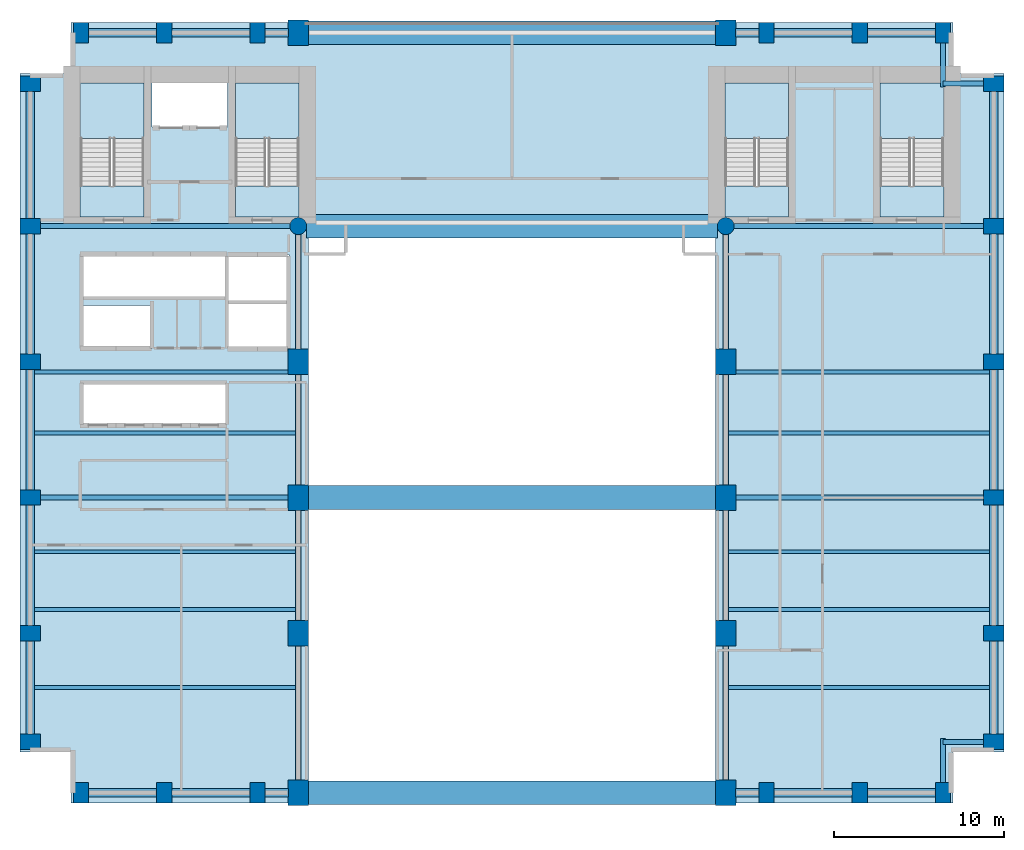
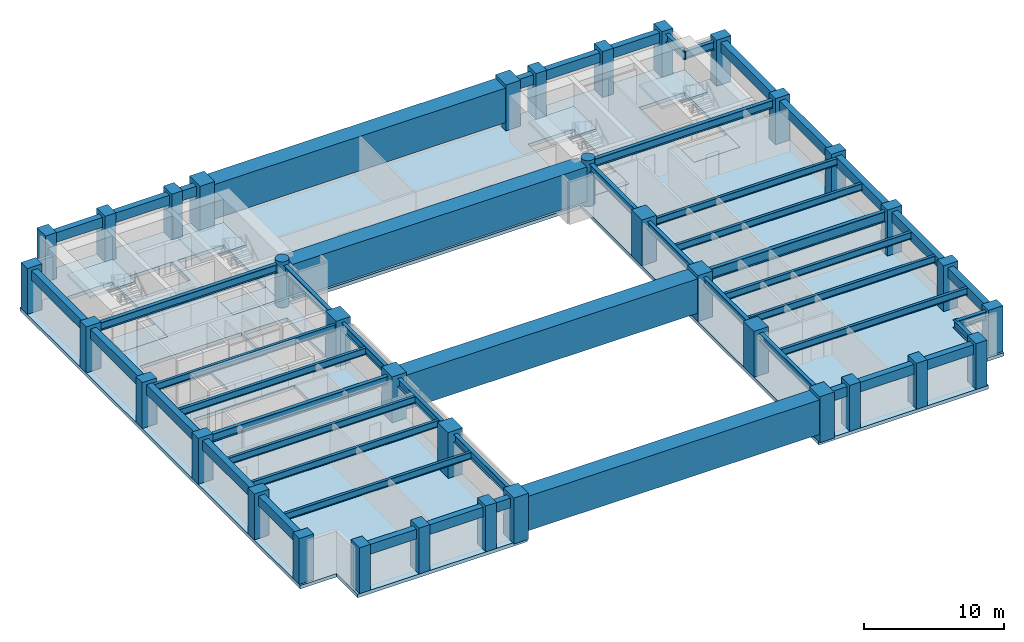
# One storey, part 1 of 8: 48 beams, 36 columns, 9 slabs, 4 elements without a shape of their own.
"""IFC4 building model written with IfcOpenShell, lengths in metres."""

from ifc_helpers import new_model, si_unit, direction, frame, origin, origin_2d, place, context, subcontext, project, spatial, polyline, rectangle, circle, i_section, outline, extrude, material, layer, layer_set, material_profile, profile_set, type_object, element, aggregate, save


model = new_model("IFC4")

# Units and contexts
model_context = context("Model", 3, precision=1e-05, world=origin(), true_north=direction((0.0, 1.0)))
body_context = subcontext(model_context, "Body", "Model", "MODEL_VIEW")
ifc_project = project(units=[si_unit("LENGTHUNIT", "METRE"), si_unit("AREAUNIT", "SQUARE_METRE"), si_unit("VOLUMEUNIT", "CUBIC_METRE"), si_unit("PLANEANGLEUNIT", "RADIAN"), si_unit("MASSUNIT", "GRAM", prefix="KILO")], contexts=[model_context])

# Site, building, storey
site_placement = place(None, origin())
site = spatial("IfcSite", under=ifc_project, at=site_placement, CompositionType="ELEMENT")
building_placement = place(site_placement, origin())
building = spatial("IfcBuilding", under=site, at=building_placement, Name="Sulina Concourse Tower", CompositionType="ELEMENT")
storey_placement = place(building_placement, frame((0.0, 0.0, 42.60009765625)))
storey = spatial("IfcBuildingStorey", under=building, at=storey_placement, Name="L10", CompositionType="ELEMENT", Elevation=42.60009765625)

# Columns
ifc_material_1 = material(Name="Concrete C60/75", Category="concrete")
ifc_material_profile_1 = material_profile(ifc_material_1, circle(Radius=0.5, at=origin_2d()), Name="RC D1000")
ifc_profile_set_1 = profile_set([ifc_material_profile_1], Name="Concrete C60/75")
column_type_1 = type_object("IfcColumnType", Name="Lower Interior Circular Column D1000", PredefinedType="COLUMN", material=ifc_profile_set_1)
for number, where, z_axis, x_axis, name in (
    (1, (16.39990234375, 34.0, 0.0), (0.0, 0.0, 1.0), (1.0, 0.0, 0.0), "L10 structural column IC-N-164"),
    (2, (41.60009765625, 34.0, 0.0), (0.0, 0.0, 1.0), (1.0, 0.0, 0.0), "L10 structural column IC-N-416"),
):
    element("IfcColumn", number, at=place(storey_placement, frame(where, z_axis=z_axis, x_axis=x_axis)), inside=storey, type_object=column_type_1, Name=name, PredefinedType="COLUMN", context=body_context, shape_type="SweptSolid", body=[
        extrude(circle(Radius=0.5, at=origin_2d()), origin(), (0.0, 0.0, 1.0), 4.0),
    ])
ifc_material_2 = material(Name="Concrete C80/95", Category="concrete")
ifc_material_profile_2 = material_profile(ifc_material_2, rectangle(XDim=1.199951171875, YDim=1.5, at=origin_2d()), Name="RC 1200x1500")
ifc_profile_set_2 = profile_set([ifc_material_profile_2], Name="Concrete C80/95")
column_type_2 = type_object("IfcColumnType", Name="Lower Portal End-Leg Column 1200x1500", PredefinedType="COLUMN", material=ifc_profile_set_2)
for number, where, z_axis, x_axis, name in (
    (3, (16.39990234375, 0.60009765625, 0.0), (0.0, 0.0, 1.0), (1.0, 0.0, 0.0), "L10 structural column TP-S-164"),
    (4, (16.39990234375, 45.39990234375, 0.0), (0.0, 0.0, 1.0), (1.0, 0.0, 0.0), "L10 structural column TP-N-164"),
    (5, (41.60009765625, 0.60009765625, 0.0), (0.0, 0.0, 1.0), (1.0, 0.0, 0.0), "L10 structural column TP-S-416"),
    (6, (41.60009765625, 45.39990234375, 0.0), (0.0, 0.0, 1.0), (1.0, 0.0, 0.0), "L10 structural column TP-N-416"),
    (7, (16.39990234375, 10.0, 0.0), (0.0, 0.0, 1.0), (1.0, 0.0, 0.0), "L10 structural column LP-FW-10"),
    (8, (41.60009765625, 10.0, 0.0), (0.0, 0.0, 1.0), (1.0, 0.0, 0.0), "L10 structural column LP-FE-10"),
    (9, (16.39990234375, 18.0, 0.0), (0.0, 0.0, 1.0), (1.0, 0.0, 0.0), "L10 structural column LP-FW-18"),
    (10, (41.60009765625, 18.0, 0.0), (0.0, 0.0, 1.0), (1.0, 0.0, 0.0), "L10 structural column LP-FE-18"),
    (11, (16.39990234375, 26.0, 0.0), (0.0, 0.0, 1.0), (1.0, 0.0, 0.0), "L10 structural column LP-FW-26"),
    (12, (41.60009765625, 26.0, 0.0), (0.0, 0.0, 1.0), (1.0, 0.0, 0.0), "L10 structural column LP-FE-26"),
):
    element("IfcColumn", number, at=place(storey_placement, frame(where, z_axis=z_axis, x_axis=x_axis)), inside=storey, type_object=column_type_2, Name=name, PredefinedType="COLUMN", context=body_context, shape_type="SweptSolid", body=[
        extrude(rectangle(XDim=1.199951171875, YDim=1.5, at=origin_2d()), origin(), (0.0, 0.0, 1.0), 4.0),
    ])
ifc_material_3 = material(Name="Precast concrete C60/75", Category="concrete")
ifc_material_profile_3 = material_profile(ifc_material_3, rectangle(XDim=0.89990234375, YDim=1.199951171875, at=origin_2d()), Name="PC 900x1200")
ifc_profile_set_3 = profile_set([ifc_material_profile_3], Name="Precast concrete C60/75")
column_type_3 = type_object("IfcColumnType", Name="Precast Tube Pier Zone 1 900x1200", PredefinedType="COLUMN", material=ifc_profile_set_3)
for number, where, z_axis, x_axis, name in (
    (13, (3.60009765625, 0.60009765625, 0.0), (0.0, 0.0, 1.0), (1.0, 0.0, 0.0), "L10 structural column TP-S-36"),
    (14, (3.60009765625, 45.39990234375, 0.0), (0.0, 0.0, 1.0), (1.0, 0.0, 0.0), "L10 structural column TP-N-36"),
    (15, (8.5, 0.60009765625, 0.0), (0.0, 0.0, 1.0), (1.0, 0.0, 0.0), "L10 structural column TP-S-85"),
    (16, (8.5, 45.39990234375, 0.0), (0.0, 0.0, 1.0), (1.0, 0.0, 0.0), "L10 structural column TP-N-85"),
    (17, (14.0, 0.60009765625, 0.0), (0.0, 0.0, 1.0), (1.0, 0.0, 0.0), "L10 structural column TP-S-140"),
    (18, (14.0, 45.39990234375, 0.0), (0.0, 0.0, 1.0), (1.0, 0.0, 0.0), "L10 structural column TP-N-140"),
    (19, (44.0, 0.60009765625, 0.0), (0.0, 0.0, 1.0), (1.0, 0.0, 0.0), "L10 structural column TP-S-440"),
    (20, (44.0, 45.39990234375, 0.0), (0.0, 0.0, 1.0), (1.0, 0.0, 0.0), "L10 structural column TP-N-440"),
    (21, (49.5, 0.60009765625, 0.0), (0.0, 0.0, 1.0), (1.0, 0.0, 0.0), "L10 structural column TP-S-495"),
    (22, (49.5, 45.39990234375, 0.0), (0.0, 0.0, 1.0), (1.0, 0.0, 0.0), "L10 structural column TP-N-495"),
    (23, (54.39990234375, 0.60009765625, 0.0), (0.0, 0.0, 1.0), (1.0, 0.0, 0.0), "L10 structural column TP-S-544"),
    (24, (54.39990234375, 45.39990234375, 0.0), (0.0, 0.0, 1.0), (1.0, 0.0, 0.0), "L10 structural column TP-N-544"),
    (25, (0.60009765625, 3.60009765625, 0.0), (0.0, 0.0, 1.0), (0.0, 1.0, 0.0), "L10 structural column TP-W-36"),
    (26, (57.39990234375, 3.60009765625, 0.0), (0.0, 0.0, 1.0), (0.0, 1.0, 0.0), "L10 structural column TP-E-36"),
    (27, (0.60009765625, 10.0, 0.0), (0.0, 0.0, 1.0), (0.0, 1.0, 0.0), "L10 structural column TP-W-100"),
    (28, (57.39990234375, 10.0, 0.0), (0.0, 0.0, 1.0), (0.0, 1.0, 0.0), "L10 structural column TP-E-100"),
    (29, (0.60009765625, 18.0, 0.0), (0.0, 0.0, 1.0), (0.0, 1.0, 0.0), "L10 structural column TP-W-180"),
    (30, (57.39990234375, 18.0, 0.0), (0.0, 0.0, 1.0), (0.0, 1.0, 0.0), "L10 structural column TP-E-180"),
    (31, (0.60009765625, 26.0, 0.0), (0.0, 0.0, 1.0), (0.0, 1.0, 0.0), "L10 structural column TP-W-260"),
    (32, (57.39990234375, 26.0, 0.0), (0.0, 0.0, 1.0), (0.0, 1.0, 0.0), "L10 structural column TP-E-260"),
    (33, (0.60009765625, 34.0, 0.0), (0.0, 0.0, 1.0), (0.0, 1.0, 0.0), "L10 structural column TP-W-340"),
    (34, (57.39990234375, 34.0, 0.0), (0.0, 0.0, 1.0), (0.0, 1.0, 0.0), "L10 structural column TP-E-340"),
    (35, (0.60009765625, 42.39990234375, 0.0), (0.0, 0.0, 1.0), (0.0, 1.0, 0.0), "L10 structural column TP-W-424"),
    (36, (57.39990234375, 42.39990234375, 0.0), (0.0, 0.0, 1.0), (0.0, 1.0, 0.0), "L10 structural column TP-E-424"),
):
    element("IfcColumn", number, at=place(storey_placement, frame(where, z_axis=z_axis, x_axis=x_axis)), inside=storey, type_object=column_type_3, Name=name, PredefinedType="COLUMN", context=body_context, shape_type="SweptSolid", body=[
        extrude(rectangle(XDim=0.89990234375, YDim=1.199951171875, at=origin_2d()), origin(), (0.0, 0.0, 1.0), 4.0),
    ])

# Beams
ifc_material_4 = material(Name="Steel S355", Category="steel")
ifc_material_profile_4 = material_profile(ifc_material_4, i_section(OverallWidth=0.219970703125, OverallDepth=0.60009765625, WebThickness=0.011962890625, FlangeThickness=0.01904296875, at=origin_2d()), Name="IPE 600")
ifc_profile_set_4 = profile_set([ifc_material_profile_4], Name="Steel S355")
beam_type_1 = type_object("IfcBeamType", Name="Composite Floor Joist IPE600", PredefinedType="JOIST", material=ifc_profile_set_4)
for number, where, z_axis, x_axis, name in (
    (37, (0.85009765625, 6.800048828125, 3.39990234375), (1.0, 0.0, 0.0), (0.0, 1.0, 0.0), "FJ-J06-1-L10"),
    (38, (41.75, 6.800048828125, 3.39990234375), (1.0, 0.0, 0.0), (0.0, 1.0, 0.0), "FJ-J06-3-L10"),
    (39, (0.85009765625, 11.39990234375, 3.39990234375), (1.0, 0.0, 0.0), (0.0, 1.0, 0.0), "FJ-J11-1-L10"),
    (40, (41.75, 11.39990234375, 3.39990234375), (1.0, 0.0, 0.0), (0.0, 1.0, 0.0), "FJ-J11-3-L10"),
    (41, (0.85009765625, 14.800048828125, 3.39990234375), (1.0, 0.0, 0.0), (0.0, 1.0, 0.0), "FJ-J15-1-L10"),
    (42, (41.75, 14.800048828125, 3.39990234375), (1.0, 0.0, 0.0), (0.0, 1.0, 0.0), "FJ-J15-3-L10"),
    (43, (0.85009765625, 21.800048828125, 3.39990234375), (1.0, 0.0, 0.0), (0.0, 1.0, 0.0), "FJ-J22-1-L10"),
    (44, (41.75, 21.800048828125, 3.39990234375), (1.0, 0.0, 0.0), (0.0, 1.0, 0.0), "FJ-J22-3-L10"),
    (45, (0.85009765625, 25.39990234375, 3.39990234375), (1.0, 0.0, 0.0), (0.0, 1.0, 0.0), "FJ-J25-1-L10"),
    (46, (41.75, 25.39990234375, 3.39990234375), (1.0, 0.0, 0.0), (0.0, 1.0, 0.0), "FJ-J25-3-L10"),
):
    element("IfcBeam", number, at=place(storey_placement, frame(where, z_axis=z_axis, x_axis=x_axis)), inside=storey, type_object=beam_type_1, Name=name, PredefinedType="JOIST", context=body_context, shape_type="SweptSolid", body=[
        extrude(i_section(OverallWidth=0.219970703125, OverallDepth=0.60009765625, WebThickness=0.011962890625, FlangeThickness=0.01904296875, at=origin_2d()), origin(), (0.0, 0.0, 1.0), 15.39990234375),
    ])
ifc_material_5 = material(Name="Steel S355", Category="steel")
ifc_material_profile_5 = material_profile(ifc_material_5, i_section(OverallWidth=0.300048828125, OverallDepth=0.699951171875, WebThickness=0.01708984375, FlangeThickness=0.031982421875, at=origin_2d()), Name="HE 700 B")
ifc_profile_set_5 = profile_set([ifc_material_profile_5], Name="Steel S355")
beam_type_2 = type_object("IfcBeamType", Name="Floor Primary Girder Zone 1 HE700B", PredefinedType="BEAM", material=ifc_profile_set_5)
for number, where, z_axis, x_axis, name in (
    (47, (54.39990234375, 3.60009765625, 3.349853515625), (1.0, 0.0, 0.0), (0.0, 1.0, 0.0), "TIE-SE-L10"),
    (48, (54.39990234375, 42.39990234375, 3.349853515625), (1.0, 0.0, 0.0), (0.0, 1.0, 0.0), "TIE-NE-L10"),
):
    element("IfcBeam", number, at=place(storey_placement, frame(where, z_axis=z_axis, x_axis=x_axis)), inside=storey, type_object=beam_type_2, Name=name, PredefinedType="BEAM", context=body_context, shape_type="SweptSolid", body=[
        extrude(i_section(OverallWidth=0.300048828125, OverallDepth=0.699951171875, WebThickness=0.01708984375, FlangeThickness=0.031982421875, at=origin_2d()), origin(), (0.0, 0.0, 1.0), 2.570068359375),
    ])
for number, where, z_axis, x_axis, name in (
    (49, (54.39990234375, 1.030029296875, 3.349853515625), (0.0, 1.0, 0.0), (-1.0, 0.0, 0.0), "TIE-SES-L10"),
    (50, (54.39990234375, 42.199951171875, 3.349853515625), (0.0, 1.0, 0.0), (-1.0, 0.0, 0.0), "TIE-NEN-L10"),
):
    element("IfcBeam", number, at=place(storey_placement, frame(where, z_axis=z_axis, x_axis=x_axis)), inside=storey, type_object=beam_type_2, Name=name, PredefinedType="BEAM", context=body_context, shape_type="SweptSolid", body=[
        extrude(i_section(OverallWidth=0.300048828125, OverallDepth=0.699951171875, WebThickness=0.01708984375, FlangeThickness=0.031982421875, at=origin_2d()), origin(), (0.0, 0.0, 1.0), 2.77001953125),
    ])
beam_1_placement = place(storey_placement, frame((1.030029296875, 18.0, 3.349853515625), z_axis=(1.0, 0.0, 0.0), x_axis=(0.0, 1.0, 0.0)))
element("IfcBeam", 51, at=beam_1_placement, inside=storey, type_object=beam_type_2, Name="FG-EW1-L10", PredefinedType="BEAM", context=body_context, shape_type="SweptSolid", body=[
    extrude(i_section(OverallWidth=0.300048828125, OverallDepth=0.699951171875, WebThickness=0.01708984375, FlangeThickness=0.031982421875, at=origin_2d()), origin(), (0.0, 0.0, 1.0), 14.7900390625),
])
for number, where, z_axis, x_axis, name in (
    (52, (1.030029296875, 34.0, 3.349853515625), (1.0, 0.0, 0.0), (0.0, 1.0, 0.0), "FG-EWN1-L10"),
    (53, (42.080078125, 34.0, 3.349853515625), (1.0, 0.0, 0.0), (0.0, 1.0, 0.0), "FG-EWN3-L10"),
):
    element("IfcBeam", number, at=place(storey_placement, frame(where, z_axis=z_axis, x_axis=x_axis)), inside=storey, type_object=beam_type_2, Name=name, PredefinedType="BEAM", context=body_context, shape_type="SweptSolid", body=[
        extrude(i_section(OverallWidth=0.300048828125, OverallDepth=0.699951171875, WebThickness=0.01708984375, FlangeThickness=0.031982421875, at=origin_2d()), origin(), (0.0, 0.0, 1.0), 14.889892578125),
    ])
beam_2_placement = place(storey_placement, frame((16.39990234375, 1.179931640625, 3.349853515625), z_axis=(0.0, 1.0, 0.0), x_axis=(-1.0, 0.0, 0.0)))
element("IfcBeam", 54, at=beam_2_placement, inside=storey, type_object=beam_type_2, Name="FG-NSA-16-L10", PredefinedType="BEAM", context=body_context, shape_type="SweptSolid", body=[
    extrude(i_section(OverallWidth=0.300048828125, OverallDepth=0.699951171875, WebThickness=0.01708984375, FlangeThickness=0.031982421875, at=origin_2d()), origin(), (0.0, 0.0, 1.0), 16.239990234375),
])
beam_3_placement = place(storey_placement, frame((16.39990234375, 18.580078125, 3.349853515625), z_axis=(0.0, 1.0, 0.0), x_axis=(-1.0, 0.0, 0.0)))
element("IfcBeam", 55, at=beam_3_placement, inside=storey, type_object=beam_type_2, Name="FG-NSB-16-L10", PredefinedType="BEAM", context=body_context, shape_type="SweptSolid", body=[
    extrude(i_section(OverallWidth=0.300048828125, OverallDepth=0.699951171875, WebThickness=0.01708984375, FlangeThickness=0.031982421875, at=origin_2d()), origin(), (0.0, 0.0, 1.0), 14.93994140625),
])
beam_4_placement = place(storey_placement, frame((41.60009765625, 1.179931640625, 3.349853515625), z_axis=(0.0, 1.0, 0.0), x_axis=(-1.0, 0.0, 0.0)))
element("IfcBeam", 56, at=beam_4_placement, inside=storey, type_object=beam_type_2, Name="FG-NSA-41-L10", PredefinedType="BEAM", context=body_context, shape_type="SweptSolid", body=[
    extrude(i_section(OverallWidth=0.300048828125, OverallDepth=0.699951171875, WebThickness=0.01708984375, FlangeThickness=0.031982421875, at=origin_2d()), origin(), (0.0, 0.0, 1.0), 16.239990234375),
])
beam_5_placement = place(storey_placement, frame((41.60009765625, 18.580078125, 3.349853515625), z_axis=(0.0, 1.0, 0.0), x_axis=(-1.0, 0.0, 0.0)))
element("IfcBeam", 57, at=beam_5_placement, inside=storey, type_object=beam_type_2, Name="FG-NSB-41-L10", PredefinedType="BEAM", context=body_context, shape_type="SweptSolid", body=[
    extrude(i_section(OverallWidth=0.300048828125, OverallDepth=0.699951171875, WebThickness=0.01708984375, FlangeThickness=0.031982421875, at=origin_2d()), origin(), (0.0, 0.0, 1.0), 14.93994140625),
])
ifc_material_6 = material(Name="Steel S355", Category="steel")
ifc_material_profile_6 = material_profile(ifc_material_6, i_section(OverallWidth=0.302001953125, OverallDepth=0.909912109375, WebThickness=0.02099609375, FlangeThickness=0.0400390625, at=origin_2d()), Name="HE 900 M")
ifc_profile_set_6 = profile_set([ifc_material_profile_6], Name="Steel S355")
beam_type_3 = type_object("IfcBeamType", Name="Lower Portal Bridge Girder HE900M", PredefinedType="BEAM", material=ifc_profile_set_6)
beam_6_placement = place(storey_placement, frame((42.179931640625, 18.0, 3.244873046875), z_axis=(1.0, 0.0, 0.0), x_axis=(0.0, 1.0, 0.0)))
element("IfcBeam", 58, at=beam_6_placement, inside=storey, type_object=beam_type_3, Name="FG-EW3-L10", PredefinedType="BEAM", context=body_context, shape_type="SweptSolid", body=[
    extrude(i_section(OverallWidth=0.302001953125, OverallDepth=0.909912109375, WebThickness=0.02099609375, FlangeThickness=0.0400390625, at=origin_2d()), origin(), (0.0, 0.0, 1.0), 14.7900390625),
])
ifc_material_7 = material(Name="Precast concrete C50/60", Category="concrete")
ifc_material_profile_7 = material_profile(ifc_material_7, rectangle(XDim=0.5, YDim=0.85009765625, at=origin_2d()), Name="RC 500x850")
ifc_profile_set_7 = profile_set([ifc_material_profile_7], Name="Precast concrete C50/60")
beam_type_4 = type_object("IfcBeamType", Name="Lower Precast Spandrel Edge Beam 500x850", PredefinedType="BEAM", material=ifc_profile_set_7)
beam_7_placement = place(storey_placement, frame((4.030029296875, 0.60009765625, 3.27490234375), z_axis=(1.0, 0.0, 0.0), x_axis=(0.0, 1.0, 0.0)))
element("IfcBeam", 59, at=beam_7_placement, inside=storey, type_object=beam_type_4, Name="SP-S1-L10", PredefinedType="BEAM", context=body_context, shape_type="SweptSolid", body=[
    extrude(rectangle(XDim=0.5, YDim=0.85009765625, at=origin_2d()), origin(), (0.0, 0.0, 1.0), 4.0400390625),
])
beam_8_placement = place(storey_placement, frame((8.929931640625, 0.60009765625, 3.27490234375), z_axis=(1.0, 0.0, 0.0), x_axis=(0.0, 1.0, 0.0)))
element("IfcBeam", 60, at=beam_8_placement, inside=storey, type_object=beam_type_4, Name="SP-S2-L10", PredefinedType="BEAM", context=body_context, shape_type="SweptSolid", body=[
    extrude(rectangle(XDim=0.5, YDim=0.85009765625, at=origin_2d()), origin(), (0.0, 0.0, 1.0), 4.64013671875),
])
for number, where, z_axis, x_axis, name in (
    (61, (14.429931640625, 0.60009765625, 3.27490234375), (1.0, 0.0, 0.0), (0.0, 1.0, 0.0), "SP-S3-L10"),
    (62, (42.179931640625, 0.60009765625, 3.27490234375), (1.0, 0.0, 0.0), (0.0, 1.0, 0.0), "SP-S5-L10"),
):
    element("IfcBeam", number, at=place(storey_placement, frame(where, z_axis=z_axis, x_axis=x_axis)), inside=storey, type_object=beam_type_4, Name=name, PredefinedType="BEAM", context=body_context, shape_type="SweptSolid", body=[
        extrude(rectangle(XDim=0.5, YDim=0.85009765625, at=origin_2d()), origin(), (0.0, 0.0, 1.0), 1.39013671875),
    ])
beam_9_placement = place(storey_placement, frame((44.429931640625, 0.60009765625, 3.27490234375), z_axis=(1.0, 0.0, 0.0), x_axis=(0.0, 1.0, 0.0)))
element("IfcBeam", 63, at=beam_9_placement, inside=storey, type_object=beam_type_4, Name="SP-S6-L10", PredefinedType="BEAM", context=body_context, shape_type="SweptSolid", body=[
    extrude(rectangle(XDim=0.5, YDim=0.85009765625, at=origin_2d()), origin(), (0.0, 0.0, 1.0), 4.64013671875),
])
for number, where, z_axis, x_axis, name in (
    (64, (49.929931640625, 0.60009765625, 3.27490234375), (1.0, 0.0, 0.0), (0.0, 1.0, 0.0), "SP-S7-L10"),
    (65, (4.030029296875, 45.39990234375, 3.27490234375), (1.0, 0.0, 0.0), (0.0, 1.0, 0.0), "SP-N1-L10"),
):
    element("IfcBeam", number, at=place(storey_placement, frame(where, z_axis=z_axis, x_axis=x_axis)), inside=storey, type_object=beam_type_4, Name=name, PredefinedType="BEAM", context=body_context, shape_type="SweptSolid", body=[
        extrude(rectangle(XDim=0.5, YDim=0.85009765625, at=origin_2d()), origin(), (0.0, 0.0, 1.0), 4.0400390625),
    ])
beam_10_placement = place(storey_placement, frame((8.929931640625, 45.39990234375, 3.27490234375), z_axis=(1.0, 0.0, 0.0), x_axis=(0.0, 1.0, 0.0)))
element("IfcBeam", 66, at=beam_10_placement, inside=storey, type_object=beam_type_4, Name="SP-N2-L10", PredefinedType="BEAM", context=body_context, shape_type="SweptSolid", body=[
    extrude(rectangle(XDim=0.5, YDim=0.85009765625, at=origin_2d()), origin(), (0.0, 0.0, 1.0), 4.64013671875),
])
for number, where, z_axis, x_axis, name in (
    (67, (14.429931640625, 45.39990234375, 3.27490234375), (1.0, 0.0, 0.0), (0.0, 1.0, 0.0), "SP-N3-L10"),
    (68, (42.179931640625, 45.39990234375, 3.27490234375), (1.0, 0.0, 0.0), (0.0, 1.0, 0.0), "SP-N5-L10"),
):
    element("IfcBeam", number, at=place(storey_placement, frame(where, z_axis=z_axis, x_axis=x_axis)), inside=storey, type_object=beam_type_4, Name=name, PredefinedType="BEAM", context=body_context, shape_type="SweptSolid", body=[
        extrude(rectangle(XDim=0.5, YDim=0.85009765625, at=origin_2d()), origin(), (0.0, 0.0, 1.0), 1.39013671875),
    ])
beam_11_placement = place(storey_placement, frame((44.429931640625, 45.39990234375, 3.27490234375), z_axis=(1.0, 0.0, 0.0), x_axis=(0.0, 1.0, 0.0)))
element("IfcBeam", 69, at=beam_11_placement, inside=storey, type_object=beam_type_4, Name="SP-N6-L10", PredefinedType="BEAM", context=body_context, shape_type="SweptSolid", body=[
    extrude(rectangle(XDim=0.5, YDim=0.85009765625, at=origin_2d()), origin(), (0.0, 0.0, 1.0), 4.64013671875),
])
beam_12_placement = place(storey_placement, frame((49.929931640625, 45.39990234375, 3.27490234375), z_axis=(1.0, 0.0, 0.0), x_axis=(0.0, 1.0, 0.0)))
element("IfcBeam", 70, at=beam_12_placement, inside=storey, type_object=beam_type_4, Name="SP-N7-L10", PredefinedType="BEAM", context=body_context, shape_type="SweptSolid", body=[
    extrude(rectangle(XDim=0.5, YDim=0.85009765625, at=origin_2d()), origin(), (0.0, 0.0, 1.0), 4.0400390625),
])
beam_13_placement = place(storey_placement, frame((0.60009765625, 4.030029296875, 3.27490234375), z_axis=(0.0, 1.0, 0.0), x_axis=(-1.0, 0.0, 0.0)))
element("IfcBeam", 71, at=beam_13_placement, inside=storey, type_object=beam_type_4, Name="SP-W1-L10", PredefinedType="BEAM", context=body_context, shape_type="SweptSolid", body=[
    extrude(rectangle(XDim=0.5, YDim=0.85009765625, at=origin_2d()), origin(), (0.0, 0.0, 1.0), 5.5400390625),
])
for number, where, z_axis, x_axis, name in (
    (72, (0.60009765625, 10.429931640625, 3.27490234375), (0.0, 1.0, 0.0), (-1.0, 0.0, 0.0), "SP-W2-L10"),
    (73, (0.60009765625, 18.429931640625, 3.27490234375), (0.0, 1.0, 0.0), (-1.0, 0.0, 0.0), "SP-W3-L10"),
    (74, (0.60009765625, 26.429931640625, 3.27490234375), (0.0, 1.0, 0.0), (-1.0, 0.0, 0.0), "SP-W4-L10"),
):
    element("IfcBeam", number, at=place(storey_placement, frame(where, z_axis=z_axis, x_axis=x_axis)), inside=storey, type_object=beam_type_4, Name=name, PredefinedType="BEAM", context=body_context, shape_type="SweptSolid", body=[
        extrude(rectangle(XDim=0.5, YDim=0.85009765625, at=origin_2d()), origin(), (0.0, 0.0, 1.0), 7.14013671875),
    ])
beam_14_placement = place(storey_placement, frame((0.60009765625, 34.429931640625, 3.27490234375), z_axis=(0.0, 1.0, 0.0), x_axis=(-1.0, 0.0, 0.0)))
element("IfcBeam", 75, at=beam_14_placement, inside=storey, type_object=beam_type_4, Name="SP-W5-L10", PredefinedType="BEAM", context=body_context, shape_type="SweptSolid", body=[
    extrude(rectangle(XDim=0.5, YDim=0.85009765625, at=origin_2d()), origin(), (0.0, 0.0, 1.0), 7.5400390625),
])
beam_15_placement = place(storey_placement, frame((57.39990234375, 4.030029296875, 3.27490234375), z_axis=(0.0, 1.0, 0.0), x_axis=(-1.0, 0.0, 0.0)))
element("IfcBeam", 76, at=beam_15_placement, inside=storey, type_object=beam_type_4, Name="SP-E1-L10", PredefinedType="BEAM", context=body_context, shape_type="SweptSolid", body=[
    extrude(rectangle(XDim=0.5, YDim=0.85009765625, at=origin_2d()), origin(), (0.0, 0.0, 1.0), 5.5400390625),
])
for number, where, z_axis, x_axis, name in (
    (77, (57.39990234375, 10.429931640625, 3.27490234375), (0.0, 1.0, 0.0), (-1.0, 0.0, 0.0), "SP-E2-L10"),
    (78, (57.39990234375, 18.429931640625, 3.27490234375), (0.0, 1.0, 0.0), (-1.0, 0.0, 0.0), "SP-E3-L10"),
    (79, (57.39990234375, 26.429931640625, 3.27490234375), (0.0, 1.0, 0.0), (-1.0, 0.0, 0.0), "SP-E4-L10"),
):
    element("IfcBeam", number, at=place(storey_placement, frame(where, z_axis=z_axis, x_axis=x_axis)), inside=storey, type_object=beam_type_4, Name=name, PredefinedType="BEAM", context=body_context, shape_type="SweptSolid", body=[
        extrude(rectangle(XDim=0.5, YDim=0.85009765625, at=origin_2d()), origin(), (0.0, 0.0, 1.0), 7.14013671875),
    ])
beam_16_placement = place(storey_placement, frame((57.39990234375, 34.429931640625, 3.27490234375), z_axis=(0.0, 1.0, 0.0), x_axis=(-1.0, 0.0, 0.0)))
element("IfcBeam", 80, at=beam_16_placement, inside=storey, type_object=beam_type_4, Name="SP-E5-L10", PredefinedType="BEAM", context=body_context, shape_type="SweptSolid", body=[
    extrude(rectangle(XDim=0.5, YDim=0.85009765625, at=origin_2d()), origin(), (0.0, 0.0, 1.0), 7.5400390625),
])
ifc_material_8 = material(Name="Concrete C60/75", Category="concrete")
ifc_material_profile_8 = material_profile(ifc_material_8, rectangle(XDim=1.39990234375, YDim=3.0, at=origin_2d()), Name="RC 1400x3000")
ifc_profile_set_8 = profile_set([ifc_material_profile_8], Name="Concrete C60/75")
beam_type_5 = type_object("IfcBeamType", Name="Station Podium Transfer Girder 1400x3000", PredefinedType="BEAM", material=ifc_profile_set_8)
for number, where, z_axis, x_axis, name in (
    (81, (16.97998046875, 0.60009765625, 2.199951171875), (1.0, 0.0, 0.0), (0.0, 1.0, 0.0), "TG-PCAP-S4-L10"),
    (82, (16.97998046875, 45.39990234375, 2.199951171875), (1.0, 0.0, 0.0), (0.0, 1.0, 0.0), "TG-PCAP-N4-L10"),
    (83, (16.97998046875, 18.0, 2.199951171875), (1.0, 0.0, 0.0), (0.0, 1.0, 0.0), "TG-EW-M2-L10"),
):
    element("IfcBeam", number, at=place(storey_placement, frame(where, z_axis=z_axis, x_axis=x_axis)), inside=storey, type_object=beam_type_5, Name=name, PredefinedType="BEAM", context=body_context, shape_type="SweptSolid", body=[
        extrude(rectangle(XDim=1.39990234375, YDim=3.0, at=origin_2d()), origin(), (0.0, 0.0, 1.0), 24.0400390625),
    ])
beam_17_placement = place(storey_placement, frame((16.8798828125, 34.0, 2.199951171875), z_axis=(1.0, 0.0, 0.0), x_axis=(0.0, 1.0, 0.0)))
element("IfcBeam", 84, at=beam_17_placement, inside=storey, type_object=beam_type_5, Name="TG-EW-N2-L10", PredefinedType="BEAM", context=body_context, shape_type="SweptSolid", body=[
    extrude(rectangle(XDim=1.39990234375, YDim=3.0, at=origin_2d()), origin(), (0.0, 0.0, 1.0), 24.240234375),
])

# Slabs
ifc_material_9 = material(Name="Concrete C50/60", Category="concrete")
ifc_layer_1 = layer(ifc_material_9, 0.300048828125)
ifc_layer_set_1 = layer_set([ifc_layer_1], Name="Concrete C50/60")
slab_type_1 = type_object("IfcSlabType", Name="Low-Rise Composite Floor Slab 300mm", PredefinedType="FLOOR", material=ifc_layer_set_1)
slab_1_placement = place(storey_placement, frame((0.0, 0.0, -0.300048828125)))
element("IfcSlab", 85, at=slab_1_placement, inside=storey, type_object=slab_type_1, Name="L10 structural floor slab", PredefinedType="FLOOR", context=body_context, shape_type="SweptSolid", body=[
    extrude(outline(polyline([(3.0, 0.0), (17.0, 0.0), (17.0, 34.0), (41.0, 34.0), (41.0, 0.0), (55.0, 0.0), (55.0, 3.0), (58.0, 3.0), (58.0, 43.0), (55.0, 43.0), (55.0, 46.0), (3.0, 46.0), (3.0, 43.0), (0.0, 43.0), (0.0, 3.0), (3.0, 3.0), (3.0, 0.0)]), holes=[polyline([(7.31005859375, 34.550048828125), (7.31005859375, 42.429931640625), (3.550048828125, 42.429931640625), (3.550048828125, 34.550048828125), (7.31005859375, 34.550048828125)]), polyline([(16.449951171875, 34.550048828125), (16.449951171875, 42.429931640625), (12.68994140625, 42.429931640625), (12.68994140625, 34.550048828125), (16.449951171875, 34.550048828125)]), polyline([(45.31005859375, 34.550048828125), (45.31005859375, 42.429931640625), (41.550048828125, 42.429931640625), (41.550048828125, 34.550048828125), (45.31005859375, 34.550048828125)]), polyline([(54.449951171875, 34.550048828125), (54.449951171875, 42.429931640625), (50.68994140625, 42.429931640625), (50.68994140625, 34.550048828125), (54.449951171875, 34.550048828125)]), polyline([(7.780029296875, 39.830078125), (12.219970703125, 39.830078125), (12.219970703125, 42.449951171875), (7.780029296875, 42.449951171875), (7.780029296875, 39.830078125)]), polyline([(3.739990234375, 26.780029296875), (7.77001953125, 26.780029296875), (7.77001953125, 29.320068359375), (3.739990234375, 29.320068359375), (3.739990234375, 26.780029296875)]), polyline([(3.739990234375, 29.780029296875), (12.10009765625, 29.780029296875), (12.10009765625, 32.3701171875), (3.739990234375, 32.3701171875), (3.739990234375, 29.780029296875)]), polyline([(3.739990234375, 22.280029296875), (12.10009765625, 22.280029296875), (12.10009765625, 24.77001953125), (3.739990234375, 24.77001953125), (3.739990234375, 22.280029296875)]), polyline([(12.280029296875, 26.780029296875), (15.85009765625, 26.780029296875), (15.85009765625, 32.320068359375), (12.280029296875, 32.320068359375), (12.280029296875, 26.780029296875)])]), origin(), (0.0, 0.0, 1.0), 0.300048828125),
])
ifc_material_10 = material(Name="Concrete C50/60", Category="concrete")
ifc_layer_2 = layer(ifc_material_10, 0.199951171875)
ifc_layer_set_2 = layer_set([ifc_layer_2], Name="Concrete C50/60")
slab_type_2 = type_object("IfcSlabType", Name="Primary Core Stair Landing Slab 200mm", PredefinedType="LANDING", material=ifc_layer_set_2)
slab_2_placement = place(storey_placement, frame((0.0, 0.0, -0.2001953125)))
element("IfcSlab", 86, at=slab_2_placement, inside=storey, type_object=slab_type_2, Name="L10 ST-1 floor landing slab", PredefinedType="LANDING", context=body_context, shape_type="SweptSolid", body=[
    extrude(outline(polyline([(7.31005859375, 34.550048828125), (7.31005859375, 36.375), (3.550048828125, 36.375), (3.550048828125, 34.550048828125), (7.31005859375, 34.550048828125)])), origin(), (0.0, 0.0, 1.0), 0.2001953125),
])
slab_3_placement = place(storey_placement, frame((0.0, 0.0, -0.2001953125)))
element("IfcSlab", 87, at=slab_3_placement, inside=storey, type_object=slab_type_2, Name="L10 ST-2 floor landing slab", PredefinedType="LANDING", context=body_context, shape_type="SweptSolid", body=[
    extrude(outline(polyline([(16.449951171875, 34.550048828125), (16.449951171875, 36.375), (12.68994140625, 36.375), (12.68994140625, 34.550048828125), (16.449951171875, 34.550048828125)])), origin(), (0.0, 0.0, 1.0), 0.2001953125),
])
slab_4_placement = place(storey_placement, frame((0.0, 0.0, -0.2001953125)))
element("IfcSlab", 88, at=slab_4_placement, inside=storey, type_object=slab_type_2, Name="L10 ST-3 floor landing slab", PredefinedType="LANDING", context=body_context, shape_type="SweptSolid", body=[
    extrude(outline(polyline([(45.31005859375, 34.550048828125), (45.31005859375, 36.375), (41.550048828125, 36.375), (41.550048828125, 34.550048828125), (45.31005859375, 34.550048828125)])), origin(), (0.0, 0.0, 1.0), 0.2001953125),
])
slab_5_placement = place(storey_placement, frame((0.0, 0.0, -0.2001953125)))
element("IfcSlab", 89, at=slab_5_placement, inside=storey, type_object=slab_type_2, Name="L10 ST-4 floor landing slab", PredefinedType="LANDING", context=body_context, shape_type="SweptSolid", body=[
    extrude(outline(polyline([(54.449951171875, 34.550048828125), (54.449951171875, 36.375), (50.68994140625, 36.375), (50.68994140625, 34.550048828125), (54.449951171875, 34.550048828125)])), origin(), (0.0, 0.0, 1.0), 0.2001953125),
])

# Stair, slab
ifc_material_11 = material(Name="Concrete C50/60", Category="concrete")
stair_type_1 = type_object("IfcStairType", Name="Primary Core Dog-Leg Exit Stair 1800mm", PredefinedType="HALF_TURN_STAIR", material=ifc_material_11)
stair_1_placement = place(storey_placement, origin())
stair_1 = element("IfcStair", 90, at=stair_1_placement, inside=storey, type_object=stair_type_1, Name="L10 ST-1", PredefinedType="HALF_TURN_STAIR")
slab_6_placement = place(storey_placement, frame((0.0, 0.0, 1.7998046875)))
slab_6 = element("IfcSlab", 91, at=slab_6_placement, type_object=slab_type_2, Name="ST-1 landing 1", PredefinedType="LANDING", context=body_context, shape_type="SweptSolid", body=[
    extrude(outline(polyline([(7.304931640625, 39.175048828125), (7.304931640625, 42.425048828125), (3.554931640625, 42.425048828125), (3.554931640625, 39.175048828125), (7.304931640625, 39.175048828125)])), origin(), (0.0, 0.0, 1.0), 0.2001953125),
])
aggregate(stair_1, [slab_6])

stair_2_placement = place(storey_placement, origin())
stair_2 = element("IfcStair", 92, at=stair_2_placement, inside=storey, type_object=stair_type_1, Name="L10 ST-2", PredefinedType="HALF_TURN_STAIR")
slab_7_placement = place(storey_placement, frame((0.0, 0.0, 1.7998046875)))
slab_7 = element("IfcSlab", 93, at=slab_7_placement, type_object=slab_type_2, Name="ST-2 landing 1", PredefinedType="LANDING", context=body_context, shape_type="SweptSolid", body=[
    extrude(outline(polyline([(16.445068359375, 39.175048828125), (16.445068359375, 42.425048828125), (12.695068359375, 42.425048828125), (12.695068359375, 39.175048828125), (16.445068359375, 39.175048828125)])), origin(), (0.0, 0.0, 1.0), 0.2001953125),
])
aggregate(stair_2, [slab_7])

ifc_material_12 = material(Name="Concrete C50/60", Category="concrete")
stair_type_2 = type_object("IfcStairType", Name="Portal & Podium Core Exit Stair 1820mm", PredefinedType="HALF_TURN_STAIR", material=ifc_material_12)
stair_3_placement = place(storey_placement, origin())
stair_3 = element("IfcStair", 94, at=stair_3_placement, inside=storey, type_object=stair_type_2, Name="L10 ST-3", PredefinedType="HALF_TURN_STAIR")
slab_8_placement = place(storey_placement, frame((0.0, 0.0, 1.7998046875)))
slab_8 = element("IfcSlab", 95, at=slab_8_placement, type_object=slab_type_2, Name="ST-3 landing 1", PredefinedType="LANDING", context=body_context, shape_type="SweptSolid", body=[
    extrude(outline(polyline([(45.304931640625, 39.175048828125), (45.304931640625, 42.425048828125), (41.554931640625, 42.425048828125), (41.554931640625, 39.175048828125), (45.304931640625, 39.175048828125)])), origin(), (0.0, 0.0, 1.0), 0.2001953125),
])
aggregate(stair_3, [slab_8])

stair_4_placement = place(storey_placement, origin())
stair_4 = element("IfcStair", 96, at=stair_4_placement, inside=storey, type_object=stair_type_2, Name="L10 ST-4", PredefinedType="HALF_TURN_STAIR")
slab_9_placement = place(storey_placement, frame((0.0, 0.0, 1.7998046875)))
slab_9 = element("IfcSlab", 97, at=slab_9_placement, type_object=slab_type_2, Name="ST-4 landing 1", PredefinedType="LANDING", context=body_context, shape_type="SweptSolid", body=[
    extrude(outline(polyline([(54.445068359375, 39.175048828125), (54.445068359375, 42.425048828125), (50.695068359375, 42.425048828125), (50.695068359375, 39.175048828125), (54.445068359375, 39.175048828125)])), origin(), (0.0, 0.0, 1.0), 0.2001953125),
])
aggregate(stair_4, [slab_9])

save(model, "model.ifc")
